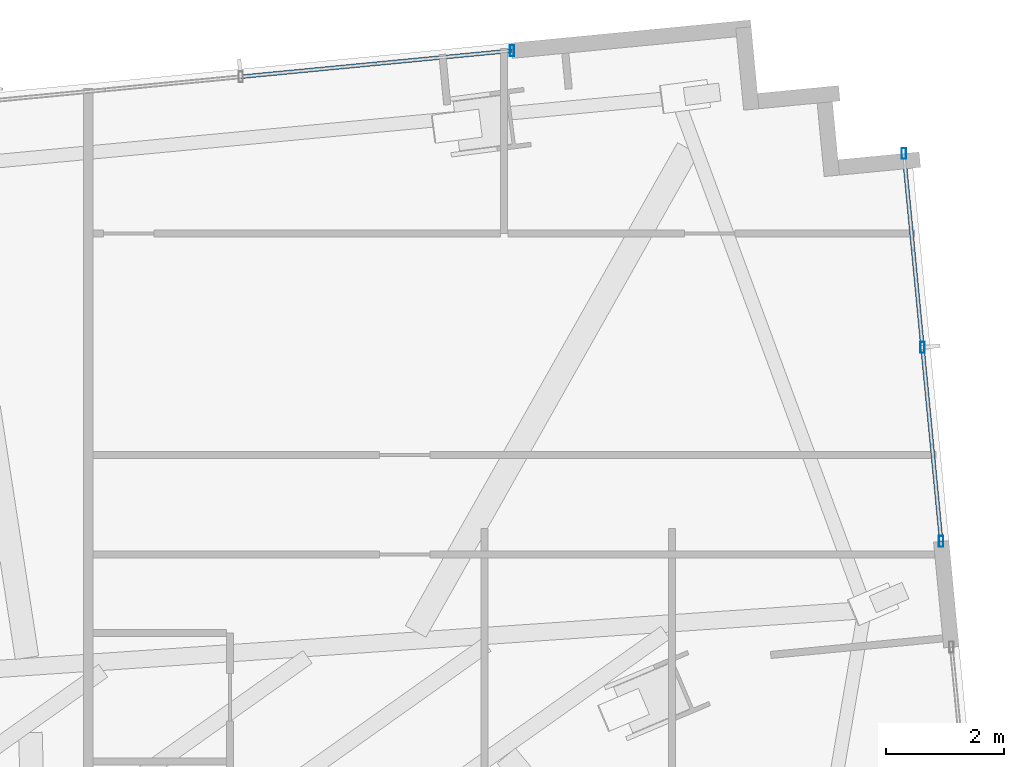
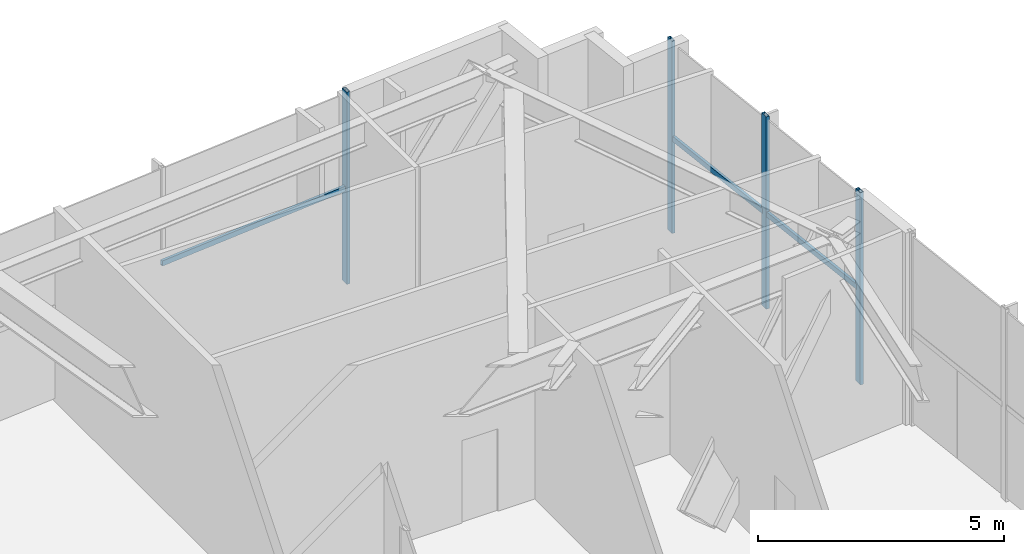
# One storey, part 18 of 28: 7 members, 2 elements without a shape of their own.
"""IFC4 building model written with IfcOpenShell, lengths in metres."""

from ifc_helpers import new_model, si_unit, direction, frame, origin, origin_2d, place, context, subcontext, project, spatial, hollow_rectangle, extrude, source, transform, mapped, material, material_profile, profile_set, type_object, type_shapes, element, aggregate, save


model = new_model("IFC4")

# Units and contexts
model_context = context("Model", 3, precision=1e-05, world=origin(), true_north=direction((0.0, 1.0)))
body_context = subcontext(model_context, "Body", "Model", "MODEL_VIEW")
ifc_project = project(units=[si_unit("LENGTHUNIT", "METRE"), si_unit("AREAUNIT", "SQUARE_METRE"), si_unit("VOLUMEUNIT", "CUBIC_METRE"), si_unit("PLANEANGLEUNIT", "RADIAN"), si_unit("MASSUNIT", "GRAM", prefix="KILO")], contexts=[model_context])

# Site, building, storey
site_placement = place(None, origin())
site = spatial("IfcSite", under=ifc_project, at=site_placement, CompositionType="ELEMENT")
building_placement = place(site_placement, origin())
building = spatial("IfcBuilding", under=site, at=building_placement, Name="Astriad Promenade Condominiums", CompositionType="ELEMENT")
storey_placement = place(building_placement, frame((0.0, 0.0, 72.60009765625)))
storey = spatial("IfcBuildingStorey", under=building, at=storey_placement, Name="L20", CompositionType="ELEMENT", Elevation=72.60009765625)

# Curtain wall, member
ifc_material_1 = material(Name="Anodised aluminium Black Dark Glass Unitised", Category="aluminium")
curtain_wall_type = type_object("IfcCurtainWallType", Name="CW-B2-DARK", PredefinedType="USERDEFINED", material=ifc_material_1)
curtain_wall_1_placement = place(storey_placement, origin())
curtain_wall_1 = element("IfcCurtainWall", 1, at=curtain_wall_1_placement, inside=storey, type_object=curtain_wall_type, Name="CW-L20-N-4", ObjectType="UNITISED_CURTAIN_WALL", PredefinedType="USERDEFINED")
ifc_material_2 = material(Name="Anodised aluminium 6063-T6 Black", Category="aluminium")
ifc_material_profile_1 = material_profile(ifc_material_2, hollow_rectangle(XDim=0.074951171875, YDim=0.18505859375, WallThickness=0.00439453125, at=origin_2d()), Name="ALU-MUL-75X185")
ifc_profile_set_1 = profile_set([ifc_material_profile_1], Name="Anodised aluminium 6063-T6 Black")
member_type_1 = type_object("IfcMemberType", Name="MUL-ALU-MUL-75X185", PredefinedType="MULLION", material=ifc_profile_set_1)
shared_shape_1 = source(origin(), body_context, "Body", "SweptSolid", [
    extrude(hollow_rectangle(XDim=0.074951171875, YDim=0.18505859375, WallThickness=0.00439453125, at=origin_2d()), origin(), (0.0, 0.0, 1.0), 4.77978515625),
])
type_shapes(member_type_1, [shared_shape_1])
member_1_placement = place(storey_placement, frame((61.377197265625, 28.35107421875, 0.0), z_axis=(0.0, 0.0, 1.0), x_axis=(1.0, 0.0, 0.0)))
member_1 = element("IfcMember", 2, at=member_1_placement, type_object=member_type_1, Name="CW-L20-N-4-MUL-02", PredefinedType="MULLION", context=body_context, shape_type="MappedRepresentation", body=[
    mapped(shared_shape_1, transform((0.0, 0.0, 0.0), scale=1.0)),
])

# Curtain wall, members
curtain_wall_2_placement = place(storey_placement, origin())
curtain_wall_2 = element("IfcCurtainWall", 3, at=curtain_wall_2_placement, inside=storey, type_object=curtain_wall_type, Name="CW-L20-E-1", ObjectType="UNITISED_CURTAIN_WALL", PredefinedType="USERDEFINED")
member_2_placement = place(storey_placement, frame((68.0146484375, 26.609130859375, 0.0), z_axis=(0.0, 0.0, 1.0), x_axis=(1.0, 0.0, 0.0)))
member_2 = element("IfcMember", 4, at=member_2_placement, type_object=member_type_1, Name="CW-L20-E-1-MUL-00", PredefinedType="MULLION", context=body_context, shape_type="MappedRepresentation", body=[
    mapped(shared_shape_1, transform((0.0, 0.0, 0.0), scale=1.0)),
])
member_3_placement = place(storey_placement, frame((68.330810546875, 23.324462890625, 0.0), z_axis=(0.0, 0.0, 1.0), x_axis=(1.0, 0.0, 0.0)))
member_3 = element("IfcMember", 5, at=member_3_placement, type_object=member_type_1, Name="CW-L20-E-1-MUL-01", PredefinedType="MULLION", context=body_context, shape_type="MappedRepresentation", body=[
    mapped(shared_shape_1, transform((0.0, 0.0, 0.0), scale=1.0)),
])
member_4_placement = place(storey_placement, frame((68.647216796875, 20.03955078125, 0.0), z_axis=(0.0, 0.0, 1.0), x_axis=(1.0, 0.0, 0.0)))
member_4 = element("IfcMember", 6, at=member_4_placement, type_object=member_type_1, Name="CW-L20-E-1-MUL-02", PredefinedType="MULLION", context=body_context, shape_type="MappedRepresentation", body=[
    mapped(shared_shape_1, transform((0.0, 0.0, 0.0), scale=1.0)),
])

# Member
ifc_material_profile_2 = material_profile(ifc_material_2, hollow_rectangle(XDim=0.06494140625, YDim=0.1298828125, WallThickness=0.00390625, at=origin_2d()), Name="ALU-TRN-65X130")
ifc_profile_set_2 = profile_set([ifc_material_profile_2], Name="Anodised aluminium 6063-T6 Black")
member_type_2 = type_object("IfcMemberType", Name="TRN-ALU-TRN-65X130", PredefinedType="USERDEFINED", material=ifc_profile_set_2)
shared_shape_2 = source(origin(), body_context, "Body", "SweptSolid", [
    extrude(hollow_rectangle(XDim=0.06494140625, YDim=0.1298828125, WallThickness=0.00390625, at=origin_2d()), origin(), (0.0, 0.0, 1.0), 4.615234375),
])
member_5_placement = place(storey_placement, frame((56.783203125, 27.90869140625, 2.349853515625), z_axis=(0.995395547411, 0.095852512723, 0.0), x_axis=(-0.095852512723, 0.995395547411, 0.0)))
member_5 = element("IfcMember", 7, at=member_5_placement, type_object=member_type_2, Name="CW-L20-N-4-TRN-01-0", ObjectType="TRANSOM", PredefinedType="USERDEFINED", context=body_context, shape_type="MappedRepresentation", body=[
    mapped(shared_shape_2, transform((0.0, 0.0, 0.0), scale=1.0)),
])

aggregate(curtain_wall_1, [member_1, member_5])

shared_shape_3 = source(origin(), body_context, "Body", "SweptSolid", [
    extrude(hollow_rectangle(XDim=0.06494140625, YDim=0.1298828125, WallThickness=0.00390625, at=origin_2d()), origin(), (0.0, 0.0, 1.0), 3.2998046875),
])
member_6_placement = place(storey_placement, frame((68.0146484375, 26.609130859375, 2.349853515625), z_axis=(0.095811089518, -0.995399535426, 0.0), x_axis=(0.995399535426, 0.095811089518, 0.0)))
member_6 = element("IfcMember", 8, at=member_6_placement, type_object=member_type_2, Name="CW-L20-E-1-TRN-00-0", ObjectType="TRANSOM", PredefinedType="USERDEFINED", context=body_context, shape_type="MappedRepresentation", body=[
    mapped(shared_shape_3, transform((0.0, 0.0, 0.0), scale=1.0)),
])

shared_shape_4 = source(origin(), body_context, "Body", "SweptSolid", [
    extrude(hollow_rectangle(XDim=0.06494140625, YDim=0.1298828125, WallThickness=0.00390625, at=origin_2d()), origin(), (0.0, 0.0, 1.0), 3.300048828125),
])
type_shapes(member_type_2, [shared_shape_2, shared_shape_3, shared_shape_4])
member_7_placement = place(storey_placement, frame((68.330810546875, 23.324462890625, 2.349853515625), z_axis=(0.095877334176, -0.995393156894, 0.0), x_axis=(0.995393156894, 0.095877334176, 0.0)))
member_7 = element("IfcMember", 9, at=member_7_placement, type_object=member_type_2, Name="CW-L20-E-1-TRN-01-0", ObjectType="TRANSOM", PredefinedType="USERDEFINED", context=body_context, shape_type="MappedRepresentation", body=[
    mapped(shared_shape_4, transform((0.0, 0.0, 0.0), scale=1.0)),
])

aggregate(curtain_wall_2, [member_2, member_3, member_4, member_6, member_7])

save(model, "model.ifc")
